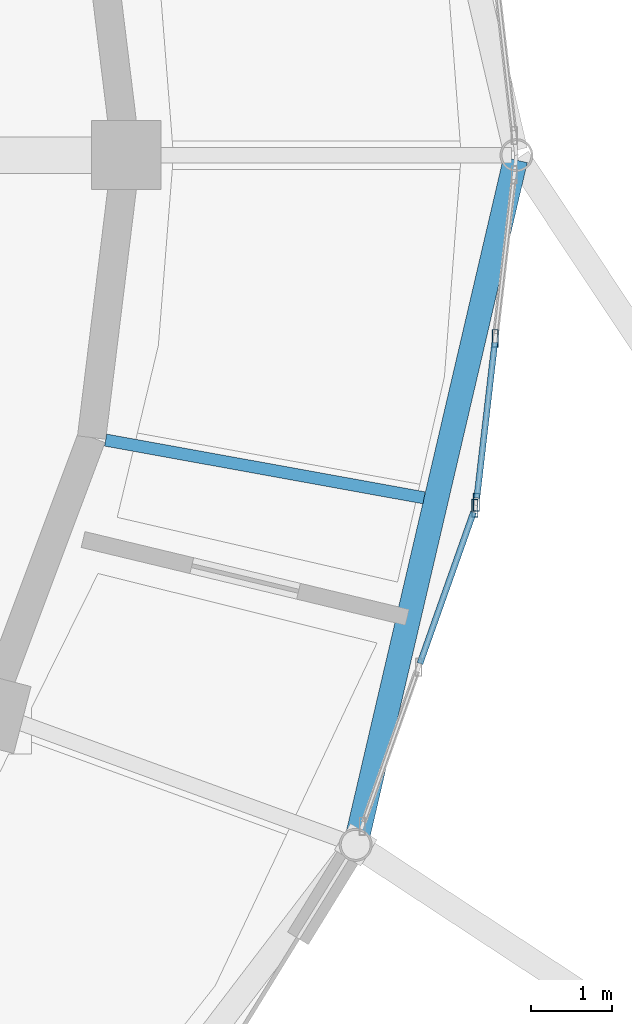
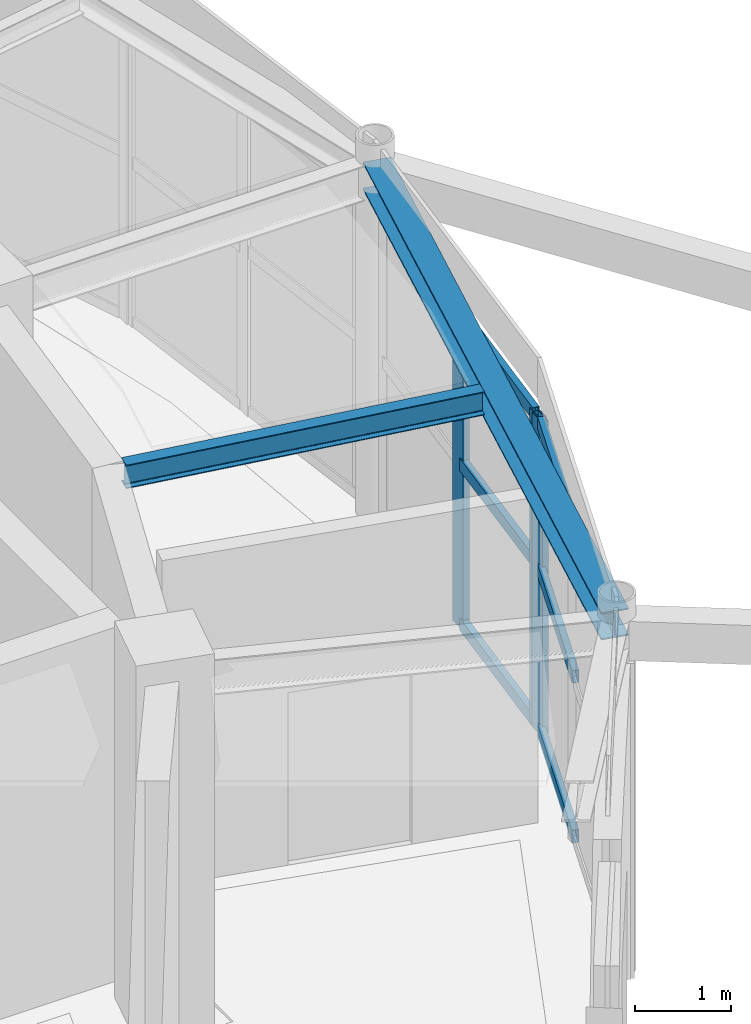
# One storey, part 44 of 108: 9 members, 2 beams, 2 elements without a shape of their own.
"""IFC4 building model written with IfcOpenShell, lengths in metres."""

from ifc_helpers import new_model, si_unit, direction, frame, origin, origin_2d, place, context, subcontext, project, spatial, hollow_rectangle, i_section, extrude, material, material_profile, profile_set, type_object, element, aggregate, save


model = new_model("IFC4")

# Units and contexts
model_context = context("Model", 3, precision=1e-05, world=origin(), true_north=direction((0.0, 1.0)))
body_context = subcontext(model_context, "Body", "Model", "MODEL_VIEW")
ifc_project = project(units=[si_unit("LENGTHUNIT", "METRE"), si_unit("AREAUNIT", "SQUARE_METRE"), si_unit("VOLUMEUNIT", "CUBIC_METRE"), si_unit("PLANEANGLEUNIT", "RADIAN"), si_unit("MASSUNIT", "GRAM", prefix="KILO")], contexts=[model_context])

# Site, building, storey
site_placement = place(None, origin())
site = spatial("IfcSite", under=ifc_project, at=site_placement, CompositionType="ELEMENT")
building_placement = place(site_placement, origin())
building = spatial("IfcBuilding", under=site, at=building_placement, Name="Tarnveldt Headland Concert Hall", CompositionType="ELEMENT")
storey_placement = place(building_placement, origin())
storey = spatial("IfcBuildingStorey", under=building, at=storey_placement, Name="L00", CompositionType="ELEMENT", Elevation=0.0)

# Curtain wall, member
ifc_material_1 = material(Name="Marine-anodised aluminium EN AW-6063-T6", Category="aluminium")
curtain_wall_type = type_object("IfcCurtainWallType", Name="CW-F1", PredefinedType="NOTDEFINED", material=ifc_material_1)
curtain_wall_1_placement = place(storey_placement, origin())
curtain_wall_1 = element("IfcCurtainWall", 1, at=curtain_wall_1_placement, inside=storey, type_object=curtain_wall_type, Name="Curtain wall CW-L00-025", PredefinedType="NOTDEFINED")
ifc_material_profile_1 = material_profile(ifc_material_1, hollow_rectangle(XDim=0.074951171875, YDim=0.219970703125, WallThickness=0.0048828125, at=origin_2d()), Name="ALU MULLION 75x220x5", Category="aluminium")
ifc_profile_set_1 = profile_set([ifc_material_profile_1], Name="Marine-anodised aluminium EN AW-6063-T6")
member_type_1 = type_object("IfcMemberType", Name="ML-200", PredefinedType="MULLION", material=ifc_profile_set_1)
member_1_placement = place(storey_placement, frame((115.788330078125, 50.15576171875, 0.0), z_axis=(0.0, 0.0, 1.0), x_axis=(1.0, 0.0, 0.0)))
member_1 = element("IfcMember", 2, at=member_1_placement, type_object=member_type_1, Name="Mullion CW-L00-025-3", PredefinedType="MULLION", context=body_context, shape_type="SweptSolid", body=[
    extrude(hollow_rectangle(XDim=0.074951171875, YDim=0.219970703125, WallThickness=0.0048828125, at=origin_2d()), origin(), (0.0, 0.0, 1.0), 4.01806640625),
])

# Curtain wall, members
curtain_wall_2_placement = place(storey_placement, origin())
curtain_wall_2 = element("IfcCurtainWall", 3, at=curtain_wall_2_placement, inside=storey, type_object=curtain_wall_type, Name="Curtain wall CW-L00-026", PredefinedType="NOTDEFINED")
member_2_placement = place(storey_placement, frame((115.806396484375, 50.233154296875, 0.0), z_axis=(0.0, 0.0, 1.0), x_axis=(1.0, 0.0, 0.0)))
member_2 = element("IfcMember", 4, at=member_2_placement, type_object=member_type_1, Name="Mullion CW-L00-026-1", PredefinedType="MULLION", context=body_context, shape_type="SweptSolid", body=[
    extrude(hollow_rectangle(XDim=0.074951171875, YDim=0.219970703125, WallThickness=0.0048828125, at=origin_2d()), origin(), (0.0, 0.0, 1.0), 4.01806640625),
])
member_3_placement = place(storey_placement, frame((116.039306640625, 52.245849609375, 0.0), z_axis=(0.0, 0.0, 1.0), x_axis=(1.0, 0.0, 0.0)))
member_3 = element("IfcMember", 5, at=member_3_placement, type_object=member_type_1, Name="Mullion CW-L00-026-2", PredefinedType="MULLION", context=body_context, shape_type="SweptSolid", body=[
    extrude(hollow_rectangle(XDim=0.074951171875, YDim=0.219970703125, WallThickness=0.0048828125, at=origin_2d()), origin(), (0.0, 0.0, 1.0), 4.01806640625),
])

# Beams
ifc_material_2 = material(Name="Steel S355", Category="steel")
ifc_material_profile_2 = material_profile(ifc_material_2, i_section(OverallWidth=0.300048828125, OverallDepth=0.35009765625, WebThickness=0.010009765625, FlangeThickness=0.017578125, FilletRadius=0.027099609375, at=origin_2d()), Name="HEA360", Category="steel")
ifc_profile_set_2 = profile_set([ifc_material_profile_2], Name="Steel S355")
beam_type_1 = type_object("IfcBeamType", Name="SB-HEA360", PredefinedType="SPANDREL", material=ifc_profile_set_2)
beam_1_placement = place(storey_placement, frame((114.33544921875, 46.076416015625, 4.344970703125), z_axis=(0.227123591729, 0.973865942561, 0.0), x_axis=(-0.973865942561, 0.227123591729, 0.0)))
element("IfcBeam", 6, at=beam_1_placement, inside=storey, type_object=beam_type_1, Name="Framing beam L00-397", PredefinedType="SPANDREL", context=body_context, shape_type="SweptSolid", body=[
    extrude(i_section(OverallWidth=0.300048828125, OverallDepth=0.35009765625, WebThickness=0.010009765625, FlangeThickness=0.017578125, FilletRadius=0.027099609375, at=origin_2d()), origin(), (0.0, 0.0, 1.0), 8.589599609375),
])
ifc_material_profile_3 = material_profile(ifc_material_2, i_section(OverallWidth=0.14990234375, OverallDepth=0.300048828125, WebThickness=0.007080078125, FlangeThickness=0.0107421875, FilletRadius=0.014892578125, at=origin_2d()), Name="IPE300", Category="steel")
ifc_profile_set_3 = profile_set([ifc_material_profile_3], Name="Steel S355")
beam_type_2 = type_object("IfcBeamType", Name="SB-IPE300", PredefinedType="JOIST", material=ifc_profile_set_3)
beam_2_placement = place(storey_placement, frame((111.246826171875, 50.995849609375, 4.3701171875), z_axis=(0.983953220183, -0.178426624954, 0.0), x_axis=(0.178426624954, 0.983953220183, 0.0)))
element("IfcBeam", 7, at=beam_2_placement, inside=storey, type_object=beam_type_2, Name="Framing beam L00-399", PredefinedType="JOIST", context=body_context, shape_type="SweptSolid", body=[
    extrude(i_section(OverallWidth=0.14990234375, OverallDepth=0.300048828125, WebThickness=0.007080078125, FlangeThickness=0.0107421875, FilletRadius=0.014892578125, at=origin_2d()), origin(), (0.0, 0.0, 1.0), 3.98046875),
])

# Member
ifc_material_profile_4 = material_profile(ifc_material_1, hollow_rectangle(XDim=0.074951171875, YDim=0.159912109375, WallThickness=0.00390625, at=origin_2d()), Name="ALU TRANSOM 75x160x4", Category="aluminium")
ifc_profile_set_4 = profile_set([ifc_material_profile_4], Name="Marine-anodised aluminium EN AW-6063-T6")
member_type_2 = type_object("IfcMemberType", Name="TR-160", PredefinedType="MEMBER", material=ifc_profile_set_4)
member_4_placement = place(storey_placement, frame((115.1123046875, 48.248046875, 0.050048828125), z_axis=(0.333977607749, 0.942581008467, 0.0), x_axis=(-0.942581008467, 0.333977607749, 0.0)))
member_4 = element("IfcMember", 8, at=member_4_placement, type_object=member_type_2, Name="Transom CW-L00-025-2-1", PredefinedType="MEMBER", context=body_context, shape_type="SweptSolid", body=[
    extrude(hollow_rectangle(XDim=0.074951171875, YDim=0.159912109375, WallThickness=0.00390625, at=origin_2d()), origin(), (0.0, 0.0, 1.0), 1.974365234375),
])

member_5_placement = place(storey_placement, frame((115.1123046875, 48.248046875, 2.08935546875), z_axis=(0.333977607749, 0.942581008467, 0.0), x_axis=(-0.942581008467, 0.333977607749, 0.0)))
member_5 = element("IfcMember", 9, at=member_5_placement, type_object=member_type_2, Name="Transom CW-L00-025-2-2", PredefinedType="MEMBER", context=body_context, shape_type="SweptSolid", body=[
    extrude(hollow_rectangle(XDim=0.074951171875, YDim=0.159912109375, WallThickness=0.00390625, at=origin_2d()), origin(), (0.0, 0.0, 1.0), 1.974365234375),
])

member_6_placement = place(storey_placement, frame((115.1123046875, 48.248046875, 3.968017578125), z_axis=(0.333977607749, 0.942581008467, 0.0), x_axis=(-0.942581008467, 0.333977607749, 0.0)))
member_6 = element("IfcMember", 10, at=member_6_placement, type_object=member_type_2, Name="Transom CW-L00-025-2-3", PredefinedType="MEMBER", context=body_context, shape_type="SweptSolid", body=[
    extrude(hollow_rectangle(XDim=0.074951171875, YDim=0.159912109375, WallThickness=0.00390625, at=origin_2d()), origin(), (0.0, 0.0, 1.0), 1.974365234375),
])

aggregate(curtain_wall_1, [member_1, member_4, member_5, member_6])

member_7_placement = place(storey_placement, frame((115.81201171875, 50.282470703125, 0.050048828125), z_axis=(0.114922277943, 0.9933744863, 0.0), x_axis=(-0.9933744863, 0.114922277943, 0.0)))
member_7 = element("IfcMember", 11, at=member_7_placement, type_object=member_type_2, Name="Transom CW-L00-026-1-1", PredefinedType="MEMBER", context=body_context, shape_type="SweptSolid", body=[
    extrude(hollow_rectangle(XDim=0.074951171875, YDim=0.159912109375, WallThickness=0.00390625, at=origin_2d()), origin(), (0.0, 0.0, 1.0), 1.9267578125),
])

member_8_placement = place(storey_placement, frame((115.81201171875, 50.282470703125, 2.08935546875), z_axis=(0.114922277943, 0.9933744863, 0.0), x_axis=(-0.9933744863, 0.114922277943, 0.0)))
member_8 = element("IfcMember", 12, at=member_8_placement, type_object=member_type_2, Name="Transom CW-L00-026-1-2", PredefinedType="MEMBER", context=body_context, shape_type="SweptSolid", body=[
    extrude(hollow_rectangle(XDim=0.074951171875, YDim=0.159912109375, WallThickness=0.00390625, at=origin_2d()), origin(), (0.0, 0.0, 1.0), 1.9267578125),
])

member_9_placement = place(storey_placement, frame((115.81201171875, 50.282470703125, 3.968017578125), z_axis=(0.114922277943, 0.9933744863, 0.0), x_axis=(-0.9933744863, 0.114922277943, 0.0)))
member_9 = element("IfcMember", 13, at=member_9_placement, type_object=member_type_2, Name="Transom CW-L00-026-1-3", PredefinedType="MEMBER", context=body_context, shape_type="SweptSolid", body=[
    extrude(hollow_rectangle(XDim=0.074951171875, YDim=0.159912109375, WallThickness=0.00390625, at=origin_2d()), origin(), (0.0, 0.0, 1.0), 1.9267578125),
])

aggregate(curtain_wall_2, [member_2, member_3, member_7, member_8, member_9])

save(model, "model.ifc")
